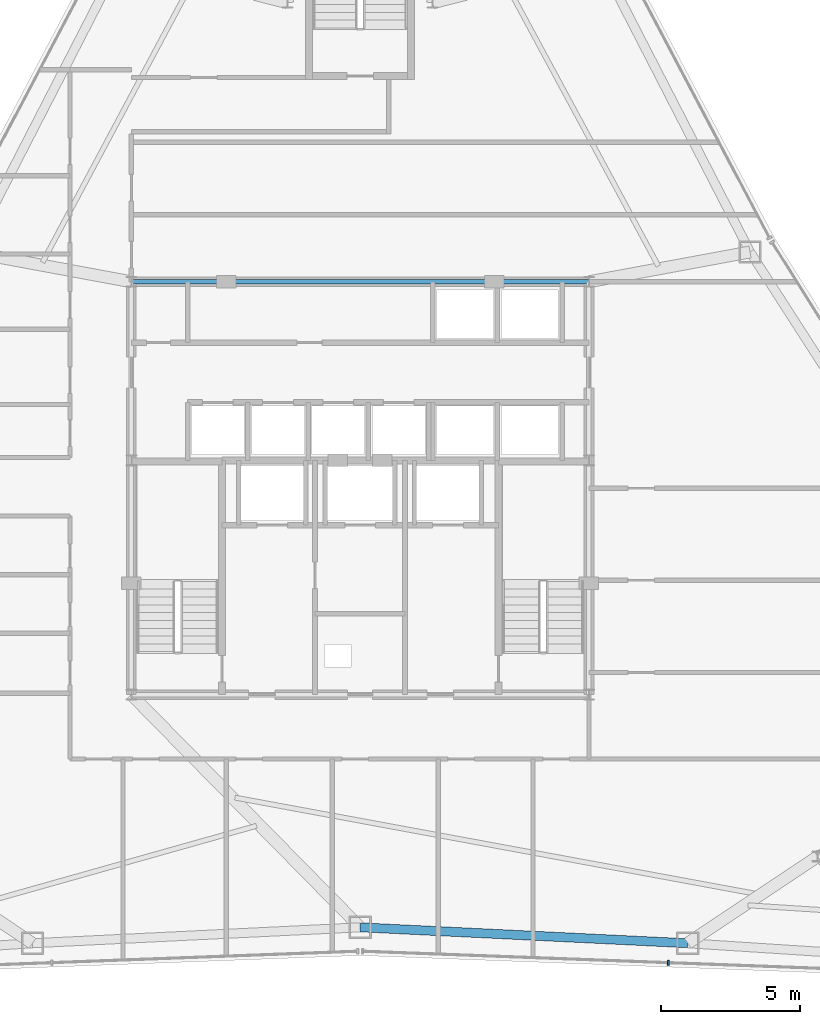
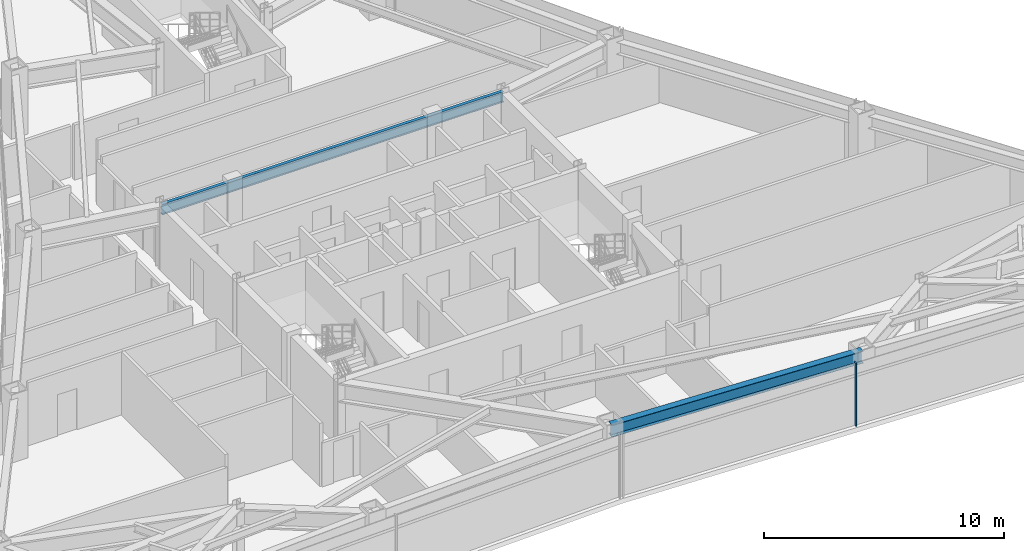
# One storey, part 6 of 13: 2 beams, 1 member, 1 element without a shape of its own.
"""IFC4 building model written with IfcOpenShell, lengths in metres."""

import ifcopenshell
import ifcopenshell.guid

model = None  # the IFC model being written
_history = None  # IfcOwnerHistory: only IFC2X3 demands one
_inside = {}  # id of a spatial element -> (the spatial element, [elements in it])
_under = {}  # id of a project, library or spatial element -> (it, [spatial elements below it])
_declared = {}  # id of a project -> (the project, [libraries it declares])
_typed = {}  # id of a type object -> (the type object, [elements of that type])
_made_of = {}  # id of a material, layer set ... -> (it, [elements and type objects made of it])


def new_model(schema):
    """Start an empty IFC model of exactly this schema.

    Asked for "IFC4X3", IfcOpenShell would pick the latest addendum, in which some entities
    have other attributes; the version numbers below select the first issue.
    IFC2X3 requires an IfcOwnerHistory on every rooted entity: one is made here for all.
    """
    global model, _history
    if schema == "IFC4X3":
        model = ifcopenshell.file(schema_version=(4, 3, 0, 0))
    else:
        model = ifcopenshell.file(schema=schema)
    _inside.clear()
    _under.clear()
    _declared.clear()
    _typed.clear()
    _made_of.clear()
    _history = None
    if model.schema == "IFC2X3":
        org = make("IfcOrganization", Name="unknown")
        user = make(
            "IfcPersonAndOrganization",
            ThePerson=make("IfcPerson", FamilyName="unknown"),
            TheOrganization=org,
        )
        app = make(
            "IfcApplication",
            ApplicationDeveloper=org,
            Version="unknown",
            ApplicationFullName="unknown",
            ApplicationIdentifier="unknown",
        )
        _history = make(
            "IfcOwnerHistory",
            OwningUser=user,
            OwningApplication=app,
            ChangeAction="ADDED",
            CreationDate=0,
        )
    return model


def make(cls, **values):
    """One entity of the class cls with the attributes given. An attribute that is None is left unset."""
    return model.create_entity(
        cls, **{name: value for name, value in values.items() if value is not None}
    )


def rooted(cls, **values):
    """An entity with a GlobalId (a new one), such as an element, a storey or a relation."""
    return make(cls, GlobalId=ifcopenshell.guid.new(), OwnerHistory=_history, **values)


def si_unit(unit_type, name, prefix=None):
    """IfcSIUnit, for example si_unit("LENGTHUNIT", "METRE", prefix="MILLI")."""
    return make("IfcSIUnit", UnitType=unit_type, Prefix=prefix, Name=name)


def assignment(units):
    """IfcUnitAssignment: the units of a project."""
    return None if units is None else make("IfcUnitAssignment", Units=units)


def point(xyz):
    """IfcCartesianPoint."""
    return None if xyz is None else make("IfcCartesianPoint", Coordinates=xyz)


def direction(xyz):
    """IfcDirection."""
    return None if xyz is None else make("IfcDirection", DirectionRatios=xyz)


def frame(location, z_axis=None, x_axis=None):
    """IfcAxis2Placement3D, a coordinate frame: its origin and axes. An axis left out is left unset."""
    return make(
        "IfcAxis2Placement3D",
        Location=point(location),
        Axis=direction(z_axis),
        RefDirection=direction(x_axis),
    )


def frame_2d(location, x_axis=None):
    """IfcAxis2Placement2D, a coordinate frame in the plane: its origin and x axis."""
    return make(
        "IfcAxis2Placement2D", Location=point(location), RefDirection=direction(x_axis)
    )


def origin():
    """The frame at (0, 0, 0) with its axes left unset."""
    return frame((0.0, 0.0, 0.0))


def origin_2d():
    """The frame at (0, 0) in the plane with its x axis left unset."""
    return frame_2d((0.0, 0.0))


def place(relative_to, where):
    """IfcLocalPlacement: puts the frame where relative to a parent placement (None: the world)."""
    return make(
        "IfcLocalPlacement", PlacementRelTo=relative_to, RelativePlacement=where
    )


def context(
    kind, dimensions, precision=None, world=None, true_north=None, identifier=None
):
    """IfcGeometricRepresentationContext, for example the 3D "Model" context."""
    return make(
        "IfcGeometricRepresentationContext",
        ContextIdentifier=identifier,
        ContextType=kind,
        CoordinateSpaceDimension=dimensions,
        Precision=precision,
        WorldCoordinateSystem=world,
        TrueNorth=true_north,
    )


def subcontext(parent, identifier, kind, view, scale=None):
    """IfcGeometricRepresentationSubContext, for example "Body" below "Model"."""
    return make(
        "IfcGeometricRepresentationSubContext",
        ContextIdentifier=identifier,
        ContextType=kind,
        ParentContext=parent,
        TargetScale=scale,
        TargetView=view,
    )


def project(units=None, contexts=None):
    """IfcProject with its units and contexts."""
    return rooted(
        "IfcProject",
        Name="project",
        RepresentationContexts=contexts,
        UnitsInContext=assignment(units),
    )


def spatial(cls, under=None, at=None, **own):
    """A site, building, storey or space (cls), placed at a placement, below another one or the project."""
    s = rooted(cls, ObjectPlacement=at, **own)
    if under is not None:
        _under.setdefault(under.id(), (under, []))[1].append(s)
    return s


def profile(cls, at=None, kind="AREA", **sizes):
    """A parametric profile (cls). Its sizes go by their IFC names, for example OverallWidth=200.0."""
    return make(cls, ProfileType=kind, Position=at, **sizes)


def rectangle(**sizes):
    """IfcRectangleProfileDef."""
    return profile("IfcRectangleProfileDef", **sizes)


def i_section(**sizes):
    """IfcIShapeProfileDef."""
    return profile("IfcIShapeProfileDef", **sizes)


def extrude(swept, where, along, depth):
    """IfcExtrudedAreaSolid: the profile swept, set in the frame where, extruded along a direction by depth."""
    return make(
        "IfcExtrudedAreaSolid",
        SweptArea=swept,
        Position=where,
        ExtrudedDirection=direction(along),
        Depth=depth,
    )


def shape(context_of_items, identifier, shape_type, items):
    """IfcShapeRepresentation: the items that make up one representation, for example the "Body"."""
    return make(
        "IfcShapeRepresentation",
        ContextOfItems=context_of_items,
        RepresentationIdentifier=identifier,
        RepresentationType=shape_type,
        Items=items,
    )


def source(mapping_origin, context_of_items, identifier, shape_type, items):
    """IfcRepresentationMap: a shape defined once, which mapped items show again and again."""
    return make(
        "IfcRepresentationMap",
        MappingOrigin=mapping_origin,
        MappedRepresentation=shape(context_of_items, identifier, shape_type, items),
    )


def transform(
    local_origin,
    x_axis=None,
    y_axis=None,
    z_axis=None,
    scale=None,
    scale2=None,
    scale3=None,
    uniform=True,
):
    """IfcCartesianTransformationOperator3D, or its non-uniform kind. x_axis, y_axis, z_axis: its Axis1, 2, 3."""
    if uniform:
        return make(
            "IfcCartesianTransformationOperator3D",
            Axis1=direction(x_axis),
            Axis2=direction(y_axis),
            LocalOrigin=point(local_origin),
            Scale=scale,
            Axis3=direction(z_axis),
        )
    return make(
        "IfcCartesianTransformationOperator3DnonUniform",
        Axis1=direction(x_axis),
        Axis2=direction(y_axis),
        LocalOrigin=point(local_origin),
        Scale=scale,
        Axis3=direction(z_axis),
        Scale2=scale2,
        Scale3=scale3,
    )


def mapped(mapping_source, mapping_target):
    """IfcMappedItem: shows the shape of a source again, moved by a transform."""
    return make(
        "IfcMappedItem", MappingSource=mapping_source, MappingTarget=mapping_target
    )


def material(Name=None, Category=None):
    """IfcMaterial."""
    return make("IfcMaterial", Name=Name, Category=Category)


def layer(
    of_material, thickness, ventilated=None, Name=None, Category=None, Priority=None
):
    """IfcMaterialLayer: one layer of a wall or slab, of a material (None: an air gap)."""
    return make(
        "IfcMaterialLayer",
        Material=of_material,
        LayerThickness=thickness,
        IsVentilated=ventilated,
        Name=Name,
        Category=Category,
        Priority=Priority,
    )


def layer_set(layers, Name=None):
    """IfcMaterialLayerSet."""
    return make("IfcMaterialLayerSet", MaterialLayers=layers, LayerSetName=Name)


def material_profile(
    of_material, cross_section, Name=None, Category=None, Priority=None
):
    """IfcMaterialProfile: a cross section and its material."""
    return make(
        "IfcMaterialProfile",
        Name=Name,
        Material=of_material,
        Profile=cross_section,
        Priority=Priority,
        Category=Category,
    )


def profile_set(profiles, Name=None, composite=None):
    """IfcMaterialProfileSet."""
    return make(
        "IfcMaterialProfileSet",
        Name=Name,
        MaterialProfiles=profiles,
        CompositeProfile=composite,
    )


def made_of(thing, what):
    """Note that an element or type object is made of a material, layer set ...; save() writes the relation."""
    if what is not None:
        _made_of.setdefault(what.id(), (what, []))[1].append(thing)
    return thing


def type_object(cls, material=None, **own):
    """A type object (cls), such as IfcWallType, which elements share."""
    return made_of(rooted(cls, **own), material)


def type_shapes(of_type, sources):
    """Give a type object the sources (RepresentationMaps) that its elements show as mapped items."""
    of_type.RepresentationMaps = sources


def element(
    cls,
    number,
    at=None,
    inside=None,
    cuts=None,
    type_object=None,
    material=None,
    context=None,
    identifier="Body",
    shape_type=None,
    held_by="IfcProductDefinitionShape",
    body=None,
    shapes=None,
    **own,
):
    """One element of the class cls, such as IfcWall. Its Tag is "e" and its number.

    at: its placement. inside: the storey or other place that contains it. cuts: it is an
    opening in that element (IfcRelVoidsElement). A single representation is given by context,
    identifier, shape_type and body (its items); several are given by shapes. held_by: the class
    of the entity that holds the representations. save() writes the other relations.
    """
    e = rooted(cls, Tag="e%d" % number, ObjectPlacement=at, **own)
    if body is not None:
        shapes = [shape(context, identifier, shape_type, body)]
    if shapes is not None:
        e.Representation = make(held_by, Representations=shapes)
    if inside is not None:
        _inside.setdefault(inside.id(), (inside, []))[1].append(e)
    if cuts is not None:
        rooted(
            "IfcRelVoidsElement", RelatingBuildingElement=cuts, RelatedOpeningElement=e
        )
    if type_object is not None:
        _typed.setdefault(type_object.id(), (type_object, []))[1].append(e)
    return made_of(e, material)


def aggregate(whole, parts):
    """IfcRelAggregates: a whole, such as a stair, and the parts it consists of."""
    return rooted("IfcRelAggregates", RelatingObject=whole, RelatedObjects=parts)


def save(model, path):
    """Write the relations noted so far, then the file.

    IfcRelAggregates (storeys below a building ...), IfcRelContainedInSpatialStructure (elements
    in a storey), IfcRelDefinesByType, IfcRelAssociatesMaterial and IfcRelDeclares: one each for
    every whole, place, type object, material and project.
    """
    for whole, parts in _under.values():
        aggregate(whole, parts)
    for where, things in _inside.values():
        rooted(
            "IfcRelContainedInSpatialStructure",
            RelatedElements=things,
            RelatingStructure=where,
        )
    for kind, things in _typed.values():
        rooted("IfcRelDefinesByType", RelatedObjects=things, RelatingType=kind)
    for what, things in _made_of.values():
        rooted("IfcRelAssociatesMaterial", RelatedObjects=things, RelatingMaterial=what)
    for by, libraries in _declared.values():
        rooted("IfcRelDeclares", RelatingContext=by, RelatedDefinitions=libraries)
    model.write(path)


model = new_model("IFC4")

# Units and contexts
model_context = context("Model", 3, precision=1e-05, world=origin(), true_north=direction((0.0, 1.0)))
body_context = subcontext(model_context, "Body", "Model", "MODEL_VIEW")
ifc_project = project(units=[si_unit("LENGTHUNIT", "METRE"), si_unit("AREAUNIT", "SQUARE_METRE"), si_unit("VOLUMEUNIT", "CUBIC_METRE"), si_unit("PLANEANGLEUNIT", "RADIAN"), si_unit("MASSUNIT", "GRAM", prefix="KILO")], contexts=[model_context])

# Site, building, storey
site_placement = place(None, origin())
site = spatial("IfcSite", under=ifc_project, at=site_placement, CompositionType="ELEMENT")
building_placement = place(site_placement, origin())
building = spatial("IfcBuilding", under=site, at=building_placement, Name="Varakhsha Concourse Tower", CompositionType="ELEMENT")
storey_placement = place(building_placement, frame((0.0, 0.0, 179.25)))
storey = spatial("IfcBuildingStorey", under=building, at=storey_placement, Name="L51", CompositionType="ELEMENT", Elevation=179.25)

# Beams
ifc_material_1 = material(Name="Structural Steel ASTM A992 Grade 50", Category="steel")
ifc_material_profile_1 = material_profile(ifc_material_1, i_section(OverallWidth=0.1669921875, OverallDepth=0.534912109375, WebThickness=0.010009765625, FlangeThickness=0.01708984375, at=origin_2d()), Name="W21X57")
ifc_profile_set_1 = profile_set([ifc_material_profile_1], Name="Structural Steel ASTM A992 Grade 50")
beam_type_1 = type_object("IfcBeamType", Name="BM-RAD-W21X57", PredefinedType="BEAM", material=ifc_profile_set_1)
beam_1_placement = place(storey_placement, frame((31.800048828125, 31.199951171875, 2.9423828125), z_axis=(1.0, 0.0, 0.0), x_axis=(0.0, 1.0, 0.0)))
element("IfcBeam", 1, at=beam_1_placement, inside=storey, type_object=beam_type_1, Name="BM-TCORE-L51-CN", PredefinedType="BEAM", context=body_context, shape_type="SweptSolid", body=[
    extrude(i_section(OverallWidth=0.1669921875, OverallDepth=0.534912109375, WebThickness=0.010009765625, FlangeThickness=0.01708984375, at=origin_2d()), origin(), (0.0, 0.0, 1.0), 16.39990234375),
])
ifc_material_profile_2 = material_profile(ifc_material_1, i_section(OverallWidth=0.323974609375, OverallDepth=0.611083984375, WebThickness=0.012939453125, FlangeThickness=0.01904296875, at=origin_2d()), Name="W24X104")
ifc_profile_set_2 = profile_set([ifc_material_profile_2], Name="Structural Steel ASTM A992 Grade 50")
beam_type_2 = type_object("IfcBeamType", Name="BM-SPAN-W24X104", PredefinedType="SPANDREL", material=ifc_profile_set_2)
beam_2_placement = place(storey_placement, frame((40.0, 8.061279296875, 2.904541015625), z_axis=(0.998822016856, -0.048524000694, 0.0), x_axis=(0.048524000694, 0.998822016856, 0.0)))
element("IfcBeam", 2, at=beam_2_placement, inside=storey, type_object=beam_type_2, Name="BM-SPAN-L51-11", PredefinedType="SPANDREL", context=body_context, shape_type="SweptSolid", body=[
    extrude(i_section(OverallWidth=0.323974609375, OverallDepth=0.611083984375, WebThickness=0.012939453125, FlangeThickness=0.01904296875, at=origin_2d()), origin(), (0.0, 0.0, 1.0), 11.75830078125),
])

# Curtain wall, member
ifc_material_2 = material(Name="Anodised Bronze Architectural Aluminium AA 6063-T6", Category="aluminium")
ifc_layer = layer(ifc_material_2, 0.2099609375, Name="CW-SYS-04")
ifc_layer_set = layer_set([ifc_layer], Name="Anodised Bronze Architectural Aluminium AA 6063-T6")
curtain_wall_type = type_object("IfcCurtainWallType", Name="CW-SYS-04", PredefinedType="NOTDEFINED", material=ifc_layer_set)
curtain_wall_placement = place(storey_placement, origin())
curtain_wall = element("IfcCurtainWall", 3, at=curtain_wall_placement, inside=storey, type_object=curtain_wall_type, Name="L51 Crystal Curtain Wall F6", PredefinedType="NOTDEFINED")
ifc_material_profile_3 = material_profile(ifc_material_2, rectangle(XDim=0.06494140625, YDim=0.179931640625, at=origin_2d()), Name="CWM-180X65")
ifc_profile_set_3 = profile_set([ifc_material_profile_3], Name="Anodised Bronze Architectural Aluminium AA 6063-T6")
member_type = type_object("IfcMemberType", Name="CWM-180X65", PredefinedType="MULLION", material=ifc_profile_set_3)
shared_shape = source(origin(), body_context, "Body", "SweptSolid", [
    extrude(rectangle(XDim=0.06494140625, YDim=0.179931640625, at=origin_2d()), origin(), (0.0, 0.0, 1.0), 3.2099609375),
])
type_shapes(member_type, [shared_shape])
member_placement = place(storey_placement, frame((51.048095703125, 6.79638671875, 0.0), z_axis=(0.0, 0.0, 1.0), x_axis=(-0.999301264048, 0.037376244769, 0.0)))
member = element("IfcMember", 4, at=member_placement, type_object=member_type, Name="CW-L51-F6 Mullion 01", PredefinedType="MULLION", context=body_context, shape_type="MappedRepresentation", body=[
    mapped(shared_shape, transform((0.0, 0.0, 0.0), scale=1.0)),
])
aggregate(curtain_wall, [member])

save(model, "model.ifc")
